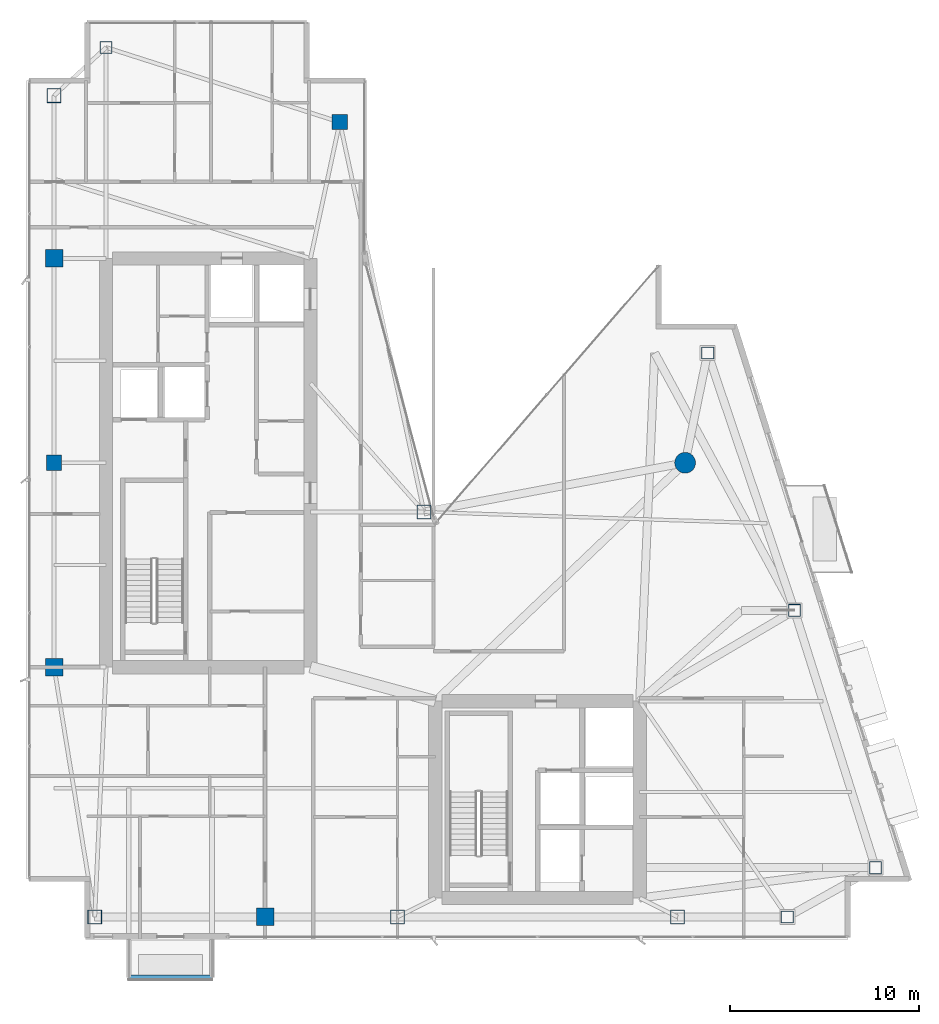
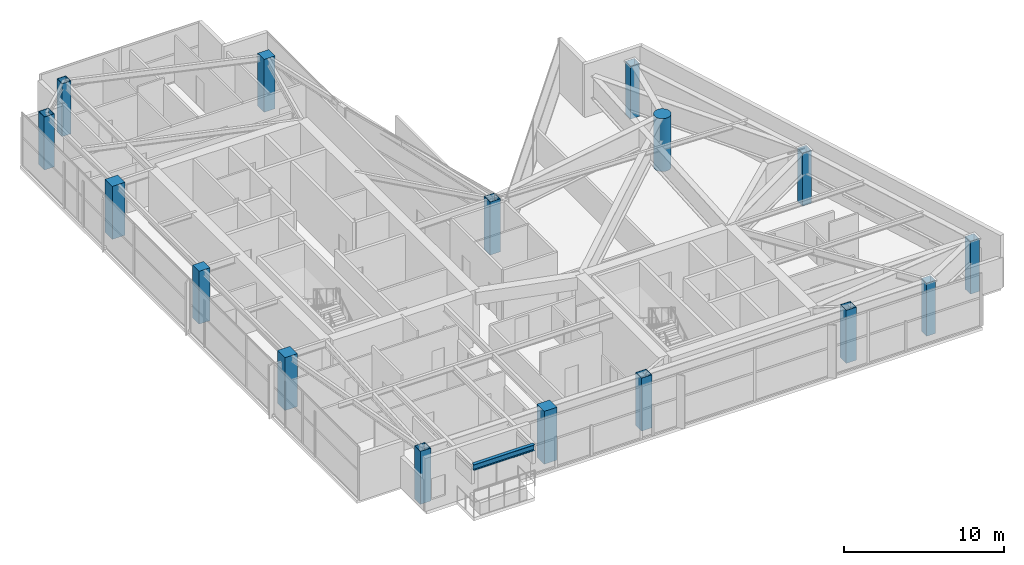
# One storey, part 1 of 29: 16 columns, 1 beam.
"""IFC4 building model written with IfcOpenShell, lengths in metres."""

from ifc_helpers import new_model, si_unit, direction, frame, origin, origin_2d, place, context, subcontext, project, spatial, rectangle, hollow_rectangle, circle, i_section, extrude, material, material_profile, profile_set, type_object, element, save


model = new_model("IFC4")

# Units and contexts
model_context = context("Model", 3, precision=1e-05, world=origin(), true_north=direction((0.0, 1.0)))
body_context = subcontext(model_context, "Body", "Model", "MODEL_VIEW")
ifc_project = project(units=[si_unit("LENGTHUNIT", "METRE"), si_unit("AREAUNIT", "SQUARE_METRE"), si_unit("VOLUMEUNIT", "CUBIC_METRE"), si_unit("PLANEANGLEUNIT", "RADIAN"), si_unit("MASSUNIT", "GRAM", prefix="KILO")], contexts=[model_context])

# Site, building, storey
site_placement = place(None, origin())
site = spatial("IfcSite", under=ifc_project, at=site_placement, CompositionType="ELEMENT")
building_placement = place(site_placement, origin())
building = spatial("IfcBuilding", under=site, at=building_placement, Name="Calvorn Quay Hotel", CompositionType="ELEMENT")
storey_placement = place(building_placement, frame((0.0, 0.0, 259.0)))
storey = spatial("IfcBuildingStorey", under=building, at=storey_placement, Name="L64", CompositionType="ELEMENT", Elevation=259.0)

# Columns
ifc_material_1 = material(Name="Concrete C45", Category="concrete")
ifc_material_profile_1 = material_profile(ifc_material_1, rectangle(XDim=0.800048828125, YDim=0.800048828125, at=origin_2d()), Name="RC800x800")
ifc_profile_set_1 = profile_set([ifc_material_profile_1], Name="Concrete C45")
column_type_1 = type_object("IfcColumnType", Name="COL-RC-800", PredefinedType="COLUMN", material=ifc_profile_set_1)
for number, where, z_axis, x_axis, name in (
    (1, (1.449951171875, 27.60009765625, 0.0), (0.0, 0.0, 1.0), (1.0, 0.0, 0.0), "Column C-W3 (L64)"),
    (2, (16.550048828125, 45.60009765625, 0.0), (0.0, 0.0, 1.0), (1.0, 0.0, 0.0), "Column C-IC1 (L64)"),
):
    element("IfcColumn", number, at=place(storey_placement, frame(where, z_axis=z_axis, x_axis=x_axis)), inside=storey, type_object=column_type_1, Name=name, PredefinedType="COLUMN", context=body_context, shape_type="SweptSolid", body=[
        extrude(rectangle(XDim=0.800048828125, YDim=0.800048828125, at=origin_2d()), origin(), (0.0, 0.0, 1.0), 4.050048828125),
    ])
ifc_material_2 = material(Name="Concrete C45", Category="concrete")
ifc_material_profile_2 = material_profile(ifc_material_2, rectangle(XDim=0.919921875, YDim=0.919921875, at=origin_2d()), Name="RC920x920")
ifc_profile_set_2 = profile_set([ifc_material_profile_2], Name="Concrete C45")
column_type_2 = type_object("IfcColumnType", Name="COL-RC-920", PredefinedType="COLUMN", material=ifc_profile_set_2)
for number, where, z_axis, x_axis, name in (
    (3, (1.449951171875, 16.800048828125, 0.0), (0.0, 0.0, 1.0), (1.0, 0.0, 0.0), "Column C-W2 (L64)"),
    (4, (1.449951171875, 38.39990234375, 0.0), (0.0, 0.0, 1.0), (1.0, 0.0, 0.0), "Column C-W4 (L64)"),
    (5, (12.60009765625, 3.60009765625, 0.0), (0.0, 0.0, 1.0), (1.0, 0.0, 0.0), "Column C-S1 (L64)"),
):
    element("IfcColumn", number, at=place(storey_placement, frame(where, z_axis=z_axis, x_axis=x_axis)), inside=storey, type_object=column_type_2, Name=name, PredefinedType="COLUMN", context=body_context, shape_type="SweptSolid", body=[
        extrude(rectangle(XDim=0.919921875, YDim=0.919921875, at=origin_2d()), origin(), (0.0, 0.0, 1.0), 4.050048828125),
    ])
ifc_material_3 = material(Name="Concrete C50", Category="concrete")
ifc_material_profile_3 = material_profile(ifc_material_3, circle(Radius=0.550048828125, at=origin_2d()), Name="RCD1100")
ifc_profile_set_3 = profile_set([ifc_material_profile_3], Name="Concrete C50")
column_type_3 = type_object("IfcColumnType", Name="COL-RC-D1100", PredefinedType="COLUMN", material=ifc_profile_set_3)
column_placement = place(storey_placement, frame((34.800048828125, 27.60009765625, 0.0), z_axis=(0.0, 0.0, 1.0), x_axis=(1.0, 0.0, 0.0)))
element("IfcColumn", 6, at=column_placement, inside=storey, type_object=column_type_3, Name="Column C-NC1 (L64)", PredefinedType="COLUMN", context=body_context, shape_type="SweptSolid", body=[
    extrude(circle(Radius=0.550048828125, at=origin_2d()), origin(), (0.0, 0.0, 1.0), 4.050048828125),
])
ifc_material_4 = material(Name="Steel Q390GJC", Category="steel")
ifc_material_profile_4 = material_profile(ifc_material_4, hollow_rectangle(XDim=0.75, YDim=0.75, WallThickness=0.031982421875, at=origin_2d()), Name="BOX750x750x32")
ifc_profile_set_4 = profile_set([ifc_material_profile_4], Name="Steel Q390GJC")
column_type_4 = type_object("IfcColumnType", Name="COL-STL-Z3", PredefinedType="COLUMN", material=ifc_profile_set_4)
for number, where, z_axis, x_axis, name in (
    (7, (3.60009765625, 3.60009765625, 0.0), (0.0, 0.0, 1.0), (1.0, 0.0, 0.0), "Column C-W1 (L64)"),
    (8, (1.449951171875, 47.0, 0.0), (0.0, 0.0, 1.0), (1.0, 0.0, 0.0), "Column C-W5 (L64)"),
    (9, (21.0, 25.0, 0.0), (0.0, 0.0, 1.0), (1.0, 0.0, 0.0), "Column C-IC2 (L64)"),
    (10, (19.60009765625, 3.60009765625, 0.0), (0.0, 0.0, 1.0), (1.0, 0.0, 0.0), "Column C-S2 (L64)"),
    (11, (34.39990234375, 3.60009765625, 0.0), (0.0, 0.0, 1.0), (1.0, 0.0, 0.0), "Column C-S3 (L64)"),
):
    element("IfcColumn", number, at=place(storey_placement, frame(where, z_axis=z_axis, x_axis=x_axis)), inside=storey, type_object=column_type_4, Name=name, PredefinedType="COLUMN", context=body_context, shape_type="SweptSolid", body=[
        extrude(hollow_rectangle(XDim=0.75, YDim=0.75, WallThickness=0.031982421875, at=origin_2d()), origin(), (0.0, 0.0, 1.0), 4.050048828125),
    ])
ifc_material_5 = material(Name="Steel Q355B", Category="steel")
ifc_material_profile_5 = material_profile(ifc_material_5, hollow_rectangle(XDim=0.64990234375, YDim=0.64990234375, WallThickness=0.028076171875, at=origin_2d()), Name="BOX650x650x28")
ifc_profile_set_5 = profile_set([ifc_material_profile_5], Name="Steel Q355B")
column_type_5 = type_object("IfcColumnType", Name="COL-STL-Z4", PredefinedType="COLUMN", material=ifc_profile_set_5)
for number, where, z_axis, x_axis, name in (
    (12, (4.199951171875, 49.550048828125, 0.0), (0.0, 0.0, 1.0), (1.0, 0.0, 0.0), "Column C-NW1 (L64)"),
    (13, (40.199951171875, 3.60009765625, 0.0), (0.0, 0.0, 1.0), (1.0, 0.0, 0.0), "Column C-S4 (L64)"),
    (14, (44.861083984375, 6.199951171875, 0.0), (0.0, 0.0, 1.0), (1.0, 0.0, 0.0), "Column C-ET1 (L64)"),
    (15, (40.575927734375, 19.800048828125, 0.0), (0.0, 0.0, 1.0), (1.0, 0.0, 0.0), "Column C-ET2 (L64)"),
    (16, (35.990966796875, 33.39990234375, 0.0), (0.0, 0.0, 1.0), (1.0, 0.0, 0.0), "Column C-ET3 (L64)"),
):
    element("IfcColumn", number, at=place(storey_placement, frame(where, z_axis=z_axis, x_axis=x_axis)), inside=storey, type_object=column_type_5, Name=name, PredefinedType="COLUMN", context=body_context, shape_type="SweptSolid", body=[
        extrude(hollow_rectangle(XDim=0.64990234375, YDim=0.64990234375, WallThickness=0.028076171875, at=origin_2d()), origin(), (0.0, 0.0, 1.0), 4.050048828125),
    ])

# Beam
ifc_material_6 = material(Name="Steel Q355B", Category="steel")
ifc_material_profile_6 = material_profile(ifc_material_6, i_section(OverallWidth=0.25, OverallDepth=0.449951171875, WebThickness=0.011962890625, FlangeThickness=0.01611328125, FilletRadius=0.01611328125, at=origin_2d()), Name="HN450x250x12x16")
ifc_profile_set_6 = profile_set([ifc_material_profile_6], Name="Steel Q355B")
beam_type = type_object("IfcBeamType", Name="BM-CANT-BALC", PredefinedType="BEAM", material=ifc_profile_set_6)
beam_placement = place(storey_placement, frame((5.39990234375, 0.409912109375, 3.824951171875), z_axis=(1.0, 0.0, 0.0), x_axis=(0.0, 1.0, 0.0)))
element("IfcBeam", 17, at=beam_placement, inside=storey, type_object=beam_type, Name="Beam BCBO-L65-1", PredefinedType="BEAM", context=body_context, shape_type="SweptSolid", body=[
    extrude(i_section(OverallWidth=0.25, OverallDepth=0.449951171875, WebThickness=0.011962890625, FlangeThickness=0.01611328125, FilletRadius=0.01611328125, at=origin_2d()), origin(), (0.0, 0.0, 1.0), 4.400146484375),
])

save(model, "model.ifc")
